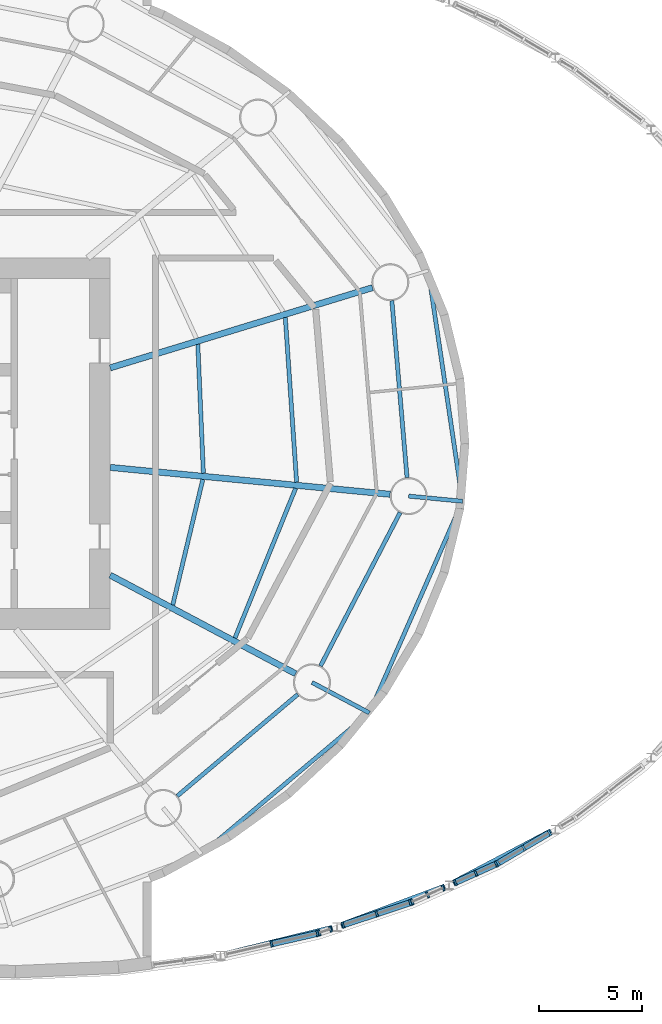
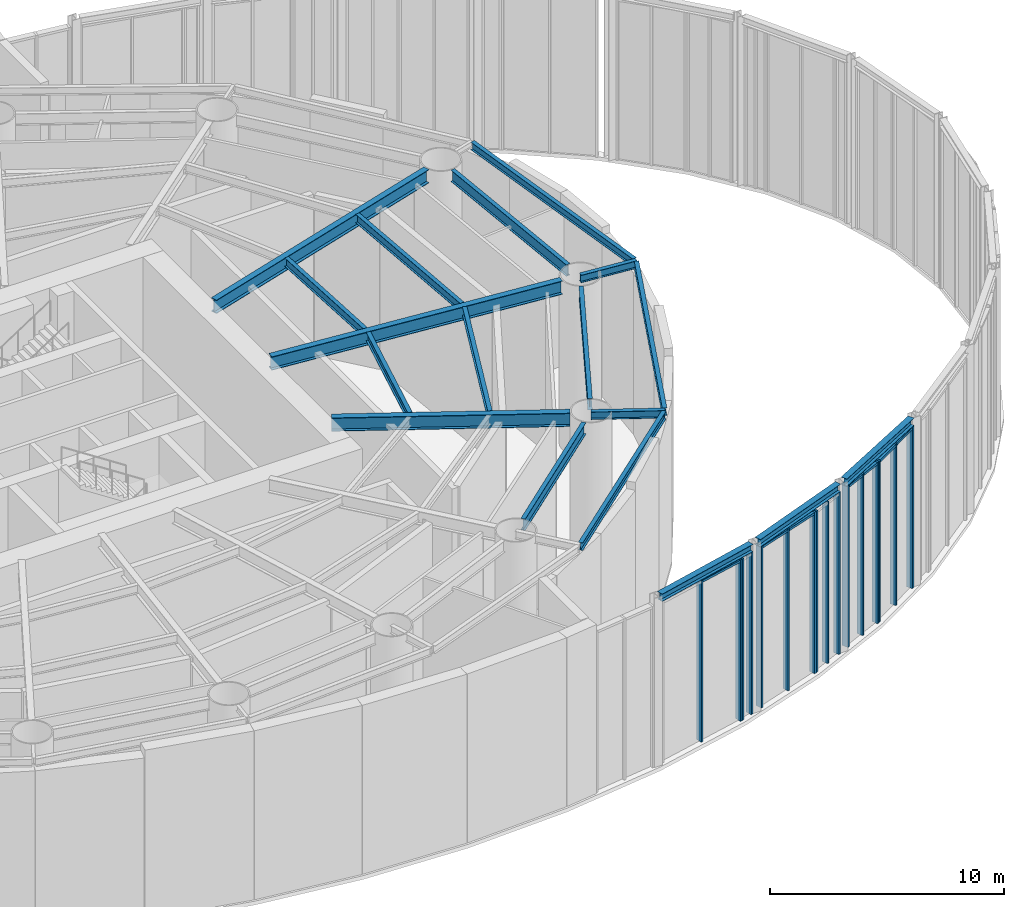
# One storey, part 5 of 19: 23 members, 18 beams, 6 elements without a shape of their own.
"""IFC4 building model written with IfcOpenShell, lengths in metres."""

from ifc_helpers import new_model, si_unit, direction, frame, origin, origin_2d, place, context, subcontext, project, spatial, rectangle, i_section, extrude, material, material_profile, profile_set, type_object, element, aggregate, save


model = new_model("IFC4")

# Units and contexts
model_context = context("Model", 3, precision=1e-05, world=origin(), true_north=direction((0.0, 1.0)))
body_context = subcontext(model_context, "Body", "Model", "MODEL_VIEW")
ifc_project = project(units=[si_unit("LENGTHUNIT", "METRE"), si_unit("AREAUNIT", "SQUARE_METRE"), si_unit("VOLUMEUNIT", "CUBIC_METRE"), si_unit("PLANEANGLEUNIT", "RADIAN"), si_unit("MASSUNIT", "GRAM", prefix="KILO")], contexts=[model_context])

# Site, building, storey
site_placement = place(None, origin())
site = spatial("IfcSite", under=ifc_project, at=site_placement, CompositionType="ELEMENT")
building_placement = place(site_placement, origin())
building = spatial("IfcBuilding", under=site, at=building_placement, Name="Vermilion Reach Broadcast Tower", CompositionType="ELEMENT")
storey_placement = place(building_placement, frame((0.0, 0.0, 17.0)))
storey = spatial("IfcBuildingStorey", under=building, at=storey_placement, Name="L02", CompositionType="ELEMENT", Elevation=17.0)

# Curtain wall, members
ifc_material_1 = material(Name="Low-e laminated clear glass in aluminium frame", Category="aluminium")
curtain_wall_type = type_object("IfcCurtainWallType", Name="Atrium outer wall curtain wall", PredefinedType="NOTDEFINED", material=ifc_material_1)
placement = place(storey_placement, origin())
curtain_wall_1 = element("IfcCurtainWall", 1, at=placement, inside=storey, type_object=curtain_wall_type, Name="Atrium wall L02 02", PredefinedType="NOTDEFINED")
ifc_material_2 = material(Name="Anodised aluminium", Category="aluminium")
ifc_material_profile_1 = material_profile(ifc_material_2, rectangle(XDim=0.300048828125, YDim=0.10009765625, at=origin_2d()), Name="Atrium outer wall mullion 100 x 300")
ifc_profile_set_1 = profile_set([ifc_material_profile_1], Name="Anodised aluminium")
member_type_1 = type_object("IfcMemberType", Name="Atrium outer wall mullion 100 x 300", PredefinedType="MULLION", material=ifc_profile_set_1)
member_1_placement = place(storey_placement, frame((13.818359375, -24.251708984375, 0.0), z_axis=(0.0, 0.0, 1.0), x_axis=(-0.222891523278, 0.974843253478, 0.0)))
member_1 = element("IfcMember", 2, at=member_1_placement, type_object=member_type_1, Name="Atrium wall mullion L02 02.2", PredefinedType="MULLION", context=body_context, shape_type="SweptSolid", body=[
    extrude(rectangle(XDim=0.300048828125, YDim=0.10009765625, at=origin_2d()), origin(), (0.0, 0.0, 1.0), 8.409912109375),
])
member_2_placement = place(storey_placement, frame((16.042236328125, -23.7431640625, 0.0), z_axis=(0.0, 0.0, 1.0), x_axis=(-0.222891523278, 0.974843253478, 0.0)))
member_2 = element("IfcMember", 3, at=member_2_placement, type_object=member_type_1, Name="Atrium wall mullion L02 02.3", PredefinedType="MULLION", context=body_context, shape_type="SweptSolid", body=[
    extrude(rectangle(XDim=0.300048828125, YDim=0.10009765625, at=origin_2d()), origin(), (0.0, 0.0, 1.0), 8.409912109375),
])

curtain_wall_2 = element("IfcCurtainWall", 4, at=placement, inside=storey, type_object=curtain_wall_type, Name="Atrium wall L02 03-1", PredefinedType="NOTDEFINED")
member_3_placement = place(storey_placement, frame((16.138427734375, -23.71630859375, 0.0), z_axis=(0.0, 0.0, 1.0), x_axis=(-0.315228098746, 0.949015935462, 0.0)))
member_3 = element("IfcMember", 5, at=member_3_placement, type_object=member_type_1, Name="Atrium wall mullion L02 03-1.1", PredefinedType="MULLION", context=body_context, shape_type="SweptSolid", body=[
    extrude(rectangle(XDim=0.300048828125, YDim=0.10009765625, at=origin_2d()), origin(), (0.0, 0.0, 1.0), 8.409912109375),
])
member_4_placement = place(storey_placement, frame((16.67724609375, -23.537353515625, 0.0), z_axis=(0.0, 0.0, 1.0), x_axis=(-0.315228098746, 0.949015935462, 0.0)))
member_4 = element("IfcMember", 6, at=member_4_placement, type_object=member_type_1, Name="Atrium wall mullion L02 03-1.2", PredefinedType="MULLION", context=body_context, shape_type="SweptSolid", body=[
    extrude(rectangle(XDim=0.300048828125, YDim=0.10009765625, at=origin_2d()), origin(), (0.0, 0.0, 1.0), 8.409912109375),
])
aggregate(curtain_wall_2, [member_3, member_4])

curtain_wall_3 = element("IfcCurtainWall", 7, at=placement, inside=storey, type_object=curtain_wall_type, Name="Atrium wall L02 03-2", PredefinedType="NOTDEFINED")
member_5_placement = place(storey_placement, frame((17.2919921875, -23.3330078125, 0.0), z_axis=(0.0, 0.0, 1.0), x_axis=(-0.315228098746, 0.949015935462, 0.0)))
member_5 = element("IfcMember", 8, at=member_5_placement, type_object=member_type_1, Name="Atrium wall mullion L02 03-2.1", PredefinedType="MULLION", context=body_context, shape_type="SweptSolid", body=[
    extrude(rectangle(XDim=0.300048828125, YDim=0.10009765625, at=origin_2d()), origin(), (0.0, 0.0, 1.0), 8.409912109375),
])
member_6_placement = place(storey_placement, frame((18.91796875, -22.79296875, 0.0), z_axis=(0.0, 0.0, 1.0), x_axis=(-0.315228098746, 0.949015935462, 0.0)))
member_6 = element("IfcMember", 9, at=member_6_placement, type_object=member_type_1, Name="Atrium wall mullion L02 03-2.2", PredefinedType="MULLION", context=body_context, shape_type="SweptSolid", body=[
    extrude(rectangle(XDim=0.300048828125, YDim=0.10009765625, at=origin_2d()), origin(), (0.0, 0.0, 1.0), 8.409912109375),
])
member_7_placement = place(storey_placement, frame((20.5439453125, -22.2529296875, 0.0), z_axis=(0.0, 0.0, 1.0), x_axis=(-0.315228098746, 0.949015935462, 0.0)))
member_7 = element("IfcMember", 10, at=member_7_placement, type_object=member_type_1, Name="Atrium wall mullion L02 03-2.3", PredefinedType="MULLION", context=body_context, shape_type="SweptSolid", body=[
    extrude(rectangle(XDim=0.300048828125, YDim=0.10009765625, at=origin_2d()), origin(), (0.0, 0.0, 1.0), 8.409912109375),
])

curtain_wall_4 = element("IfcCurtainWall", 11, at=placement, inside=storey, type_object=curtain_wall_type, Name="Atrium wall L02 04-1", PredefinedType="NOTDEFINED")
member_8_placement = place(storey_placement, frame((20.636962890625, -22.216552734375, 0.0), z_axis=(0.0, 0.0, 1.0), x_axis=(-0.410407876277, 0.911902064418, 0.0)))
member_8 = element("IfcMember", 12, at=member_8_placement, type_object=member_type_1, Name="Atrium wall mullion L02 04-1.1", PredefinedType="MULLION", context=body_context, shape_type="SweptSolid", body=[
    extrude(rectangle(XDim=0.300048828125, YDim=0.10009765625, at=origin_2d()), origin(), (0.0, 0.0, 1.0), 8.409912109375),
])
member_9_placement = place(storey_placement, frame((21.386474609375, -21.87939453125, 0.0), z_axis=(0.0, 0.0, 1.0), x_axis=(-0.410407876277, 0.911902064418, 0.0)))
member_9 = element("IfcMember", 13, at=member_9_placement, type_object=member_type_1, Name="Atrium wall mullion L02 04-1.2", PredefinedType="MULLION", context=body_context, shape_type="SweptSolid", body=[
    extrude(rectangle(XDim=0.300048828125, YDim=0.10009765625, at=origin_2d()), origin(), (0.0, 0.0, 1.0), 8.409912109375),
])
member_10_placement = place(storey_placement, frame((22.1357421875, -21.5419921875, 0.0), z_axis=(0.0, 0.0, 1.0), x_axis=(-0.410407876277, 0.911902064418, 0.0)))
member_10 = element("IfcMember", 14, at=member_10_placement, type_object=member_type_1, Name="Atrium wall mullion L02 04-1.3", PredefinedType="MULLION", context=body_context, shape_type="SweptSolid", body=[
    extrude(rectangle(XDim=0.300048828125, YDim=0.10009765625, at=origin_2d()), origin(), (0.0, 0.0, 1.0), 8.409912109375),
])
aggregate(curtain_wall_4, [member_8, member_9, member_10])

curtain_wall_5 = element("IfcCurtainWall", 15, at=placement, inside=storey, type_object=curtain_wall_type, Name="Atrium wall L02 04-2", PredefinedType="NOTDEFINED")
member_11_placement = place(storey_placement, frame((22.726806640625, -21.276123046875, 0.0), z_axis=(0.0, 0.0, 1.0), x_axis=(-0.410407876277, 0.911902064418, 0.0)))
member_11 = element("IfcMember", 16, at=member_11_placement, type_object=member_type_1, Name="Atrium wall mullion L02 04-2.1", PredefinedType="MULLION", context=body_context, shape_type="SweptSolid", body=[
    extrude(rectangle(XDim=0.300048828125, YDim=0.10009765625, at=origin_2d()), origin(), (0.0, 0.0, 1.0), 8.409912109375),
])
member_12_placement = place(storey_placement, frame((23.720947265625, -20.82861328125, 0.0), z_axis=(0.0, 0.0, 1.0), x_axis=(-0.410407876277, 0.911902064418, 0.0)))
member_12 = element("IfcMember", 17, at=member_12_placement, type_object=member_type_1, Name="Atrium wall mullion L02 04-2.2", PredefinedType="MULLION", context=body_context, shape_type="SweptSolid", body=[
    extrude(rectangle(XDim=0.300048828125, YDim=0.10009765625, at=origin_2d()), origin(), (0.0, 0.0, 1.0), 8.409912109375),
])
member_13_placement = place(storey_placement, frame((24.715087890625, -20.38134765625, 0.0), z_axis=(0.0, 0.0, 1.0), x_axis=(-0.410407876277, 0.911902064418, 0.0)))
member_13 = element("IfcMember", 18, at=member_13_placement, type_object=member_type_1, Name="Atrium wall mullion L02 04-2.3", PredefinedType="MULLION", context=body_context, shape_type="SweptSolid", body=[
    extrude(rectangle(XDim=0.300048828125, YDim=0.10009765625, at=origin_2d()), origin(), (0.0, 0.0, 1.0), 8.409912109375),
])

curtain_wall_6 = element("IfcCurtainWall", 19, at=placement, inside=storey, type_object=curtain_wall_type, Name="Atrium wall L02 05-1", PredefinedType="NOTDEFINED")
member_14_placement = place(storey_placement, frame((24.8037109375, -20.33544921875, 0.0), z_axis=(0.0, 0.0, 1.0), x_axis=(-0.508589622127, 0.861009057017, 0.0)))
member_14 = element("IfcMember", 20, at=member_14_placement, type_object=member_type_1, Name="Atrium wall mullion L02 05-1.1", PredefinedType="MULLION", context=body_context, shape_type="SweptSolid", body=[
    extrude(rectangle(XDim=0.300048828125, YDim=0.10009765625, at=origin_2d()), origin(), (0.0, 0.0, 1.0), 8.409912109375),
])
member_15_placement = place(storey_placement, frame((26.0478515625, -19.6005859375, 0.0), z_axis=(0.0, 0.0, 1.0), x_axis=(-0.508589622127, 0.861009057017, 0.0)))
member_15 = element("IfcMember", 21, at=member_15_placement, type_object=member_type_1, Name="Atrium wall mullion L02 05-1.2", PredefinedType="MULLION", context=body_context, shape_type="SweptSolid", body=[
    extrude(rectangle(XDim=0.300048828125, YDim=0.10009765625, at=origin_2d()), origin(), (0.0, 0.0, 1.0), 8.409912109375),
])
member_16_placement = place(storey_placement, frame((27.291748046875, -18.86572265625, 0.0), z_axis=(0.0, 0.0, 1.0), x_axis=(-0.508589622127, 0.861009057017, 0.0)))
member_16 = element("IfcMember", 22, at=member_16_placement, type_object=member_type_1, Name="Atrium wall mullion L02 05-1.3", PredefinedType="MULLION", context=body_context, shape_type="SweptSolid", body=[
    extrude(rectangle(XDim=0.300048828125, YDim=0.10009765625, at=origin_2d()), origin(), (0.0, 0.0, 1.0), 8.409912109375),
])

# Member
ifc_material_3 = material(Name="Anodised aluminium", Category="aluminium")
ifc_material_profile_2 = material_profile(ifc_material_3, rectangle(XDim=0.300048828125, YDim=0.1201171875, at=origin_2d()), Name="Atrium outer wall transom 300 x 120")
ifc_profile_set_2 = profile_set([ifc_material_profile_2], Name="Anodised aluminium")
member_type_2 = type_object("IfcMemberType", Name="Atrium outer wall transom 300 x 120", PredefinedType="USERDEFINED", material=ifc_profile_set_2)
member_17_placement = place(storey_placement, frame((13.8671875, -24.240478515625, 8.35009765625), z_axis=(0.97485503326, 0.222839996696, 0.0), x_axis=(-0.222839996696, 0.97485503326, 0.0)))
member_17 = element("IfcMember", 23, at=member_17_placement, type_object=member_type_2, Name="Atrium wall transom L02 02.2.2", ObjectType="TRANSOM", PredefinedType="USERDEFINED", context=body_context, shape_type="SweptSolid", body=[
    extrude(rectangle(XDim=0.300048828125, YDim=0.1201171875, at=origin_2d()), origin(), (0.0, 0.0, 1.0), 2.181396484375),
])

aggregate(curtain_wall_1, [member_1, member_2, member_17])

member_18_placement = place(storey_placement, frame((17.339599609375, -23.3173828125, 8.35009765625), z_axis=(0.949015707131, 0.315228786151, 0.0), x_axis=(-0.315228786151, 0.949015707131, 0.0)))
member_18 = element("IfcMember", 24, at=member_18_placement, type_object=member_type_2, Name="Atrium wall transom L02 03-2.1.2", ObjectType="TRANSOM", PredefinedType="USERDEFINED", context=body_context, shape_type="SweptSolid", body=[
    extrude(rectangle(XDim=0.300048828125, YDim=0.1201171875, at=origin_2d()), origin(), (0.0, 0.0, 1.0), 1.61328125),
])

member_19_placement = place(storey_placement, frame((18.965576171875, -22.777099609375, 8.35009765625), z_axis=(0.949015707131, 0.315228786151, 0.0), x_axis=(-0.315228786151, 0.949015707131, 0.0)))
member_19 = element("IfcMember", 25, at=member_19_placement, type_object=member_type_2, Name="Atrium wall transom L02 03-2.2.2", ObjectType="TRANSOM", PredefinedType="USERDEFINED", context=body_context, shape_type="SweptSolid", body=[
    extrude(rectangle(XDim=0.300048828125, YDim=0.1201171875, at=origin_2d()), origin(), (0.0, 0.0, 1.0), 1.61328125),
])

aggregate(curtain_wall_3, [member_5, member_6, member_7, member_18, member_19])

member_20_placement = place(storey_placement, frame((22.772216796875, -21.255615234375, 8.35009765625), z_axis=(0.911879986632, 0.410456928289, 0.0), x_axis=(-0.410456928289, 0.911879986632, 0.0)))
member_20 = element("IfcMember", 26, at=member_20_placement, type_object=member_type_2, Name="Atrium wall transom L02 04-2.1.2", ObjectType="TRANSOM", PredefinedType="USERDEFINED", context=body_context, shape_type="SweptSolid", body=[
    extrude(rectangle(XDim=0.300048828125, YDim=0.1201171875, at=origin_2d()), origin(), (0.0, 0.0, 1.0), 0.990234375),
])

member_21_placement = place(storey_placement, frame((23.766357421875, -20.80810546875, 8.35009765625), z_axis=(0.911972242519, 0.410251909044, 0.0), x_axis=(-0.410251909044, 0.911972242519, 0.0)))
member_21 = element("IfcMember", 27, at=member_21_placement, type_object=member_type_2, Name="Atrium wall transom L02 04-2.2.2", ObjectType="TRANSOM", PredefinedType="USERDEFINED", context=body_context, shape_type="SweptSolid", body=[
    extrude(rectangle(XDim=0.300048828125, YDim=0.1201171875, at=origin_2d()), origin(), (0.0, 0.0, 1.0), 0.990234375),
])

aggregate(curtain_wall_5, [member_11, member_12, member_13, member_20, member_21])

member_22_placement = place(storey_placement, frame((24.8466796875, -20.309814453125, 8.35009765625), z_axis=(0.861060223376, 0.508502990866, 0.0), x_axis=(-0.508502990866, 0.861060223376, 0.0)))
member_22 = element("IfcMember", 28, at=member_22_placement, type_object=member_type_2, Name="Atrium wall transom L02 05-1.1.2", ObjectType="TRANSOM", PredefinedType="USERDEFINED", context=body_context, shape_type="SweptSolid", body=[
    extrude(rectangle(XDim=0.300048828125, YDim=0.1201171875, at=origin_2d()), origin(), (0.0, 0.0, 1.0), 1.3447265625),
])

member_23_placement = place(storey_placement, frame((26.0908203125, -19.574951171875, 8.35009765625), z_axis=(0.861060223376, 0.508502990866, 0.0), x_axis=(-0.508502990866, 0.861060223376, 0.0)))
member_23 = element("IfcMember", 29, at=member_23_placement, type_object=member_type_2, Name="Atrium wall transom L02 05-1.2.2", ObjectType="TRANSOM", PredefinedType="USERDEFINED", context=body_context, shape_type="SweptSolid", body=[
    extrude(rectangle(XDim=0.300048828125, YDim=0.1201171875, at=origin_2d()), origin(), (0.0, 0.0, 1.0), 1.3447265625),
])

aggregate(curtain_wall_6, [member_14, member_15, member_16, member_22, member_23])

# Beams
ifc_material_4 = material(Name="Steel S355J2", Category="steel")
ifc_material_profile_3 = material_profile(ifc_material_4, i_section(OverallWidth=0.199951171875, OverallDepth=0.39990234375, WebThickness=0.008056640625, FlangeThickness=0.012939453125, at=origin_2d()), Name="S355J2 HN 400x200x8x13")
ifc_profile_set_3 = profile_set([ifc_material_profile_3], Name="Steel S355J2")
beam_type_1 = type_object("IfcBeamType", Name="EB1 HN 400x200x8x13", PredefinedType="BEAM", material=ifc_profile_set_3)
beam_1_placement = place(storey_placement, frame((10.490478515625, -19.840087890625, 8.60009765625), z_axis=(0.765453208317, 0.643491558513, 0.0), x_axis=(-0.643491558513, 0.765453208317, 0.0)))
element("IfcBeam", 30, at=beam_1_placement, inside=storey, type_object=beam_type_1, Name="Edge beam EB1-14", PredefinedType="BEAM", context=body_context, shape_type="SweptSolid", body=[
    extrude(i_section(OverallWidth=0.199951171875, OverallDepth=0.39990234375, WebThickness=0.008056640625, FlangeThickness=0.012939453125, at=origin_2d()), origin(), (0.0, 0.0, 1.0), 10.437255859375),
])
beam_2_placement = place(storey_placement, frame((18.6025390625, -12.962646484375, 8.60009765625), z_axis=(0.402751254677, 0.915309470538, 0.0), x_axis=(-0.915309470538, 0.402751254677, 0.0)))
element("IfcBeam", 31, at=beam_2_placement, inside=storey, type_object=beam_type_1, Name="Edge beam EB1-15", PredefinedType="BEAM", context=body_context, shape_type="SweptSolid", body=[
    extrude(i_section(OverallWidth=0.199951171875, OverallDepth=0.39990234375, WebThickness=0.008056640625, FlangeThickness=0.012939453125, at=origin_2d()), origin(), (0.0, 0.0, 1.0), 11.00341796875),
])
beam_3_placement = place(storey_placement, frame((23.061279296875, -2.692626953125, 8.60009765625), z_axis=(-0.147029010253, 0.98913218032, 0.0), x_axis=(-0.98913218032, -0.147029010253, 0.0)))
element("IfcBeam", 32, at=beam_3_placement, inside=storey, type_object=beam_type_1, Name="Edge beam EB1-16", PredefinedType="BEAM", context=body_context, shape_type="SweptSolid", body=[
    extrude(i_section(OverallWidth=0.199951171875, OverallDepth=0.39990234375, WebThickness=0.008056640625, FlangeThickness=0.012939453125, at=origin_2d()), origin(), (0.0, 0.0, 1.0), 11.125244140625),
])
ifc_material_5 = material(Name="Steel S355J2", Category="steel")
ifc_material_profile_4 = material_profile(ifc_material_5, i_section(OverallWidth=0.300048828125, OverallDepth=0.699951171875, WebThickness=0.012939453125, FlangeThickness=0.02392578125, at=origin_2d()), Name="S355J2 HN 700x300x13x24")
ifc_profile_set_4 = profile_set([ifc_material_profile_4], Name="Steel S355J2")
beam_type_2 = type_object("IfcBeamType", Name="G1 HN 700x300x13x24", PredefinedType="BEAM", material=ifc_profile_set_4)
beam_4_placement = place(storey_placement, frame((6.0, 3.671142578125, 8.449951171875), z_axis=(0.956255735186, 0.292531996409, 0.0), x_axis=(-0.292531996409, 0.956255735186, 0.0)))
element("IfcBeam", 33, at=beam_4_placement, inside=storey, type_object=beam_type_2, Name="Girder G1-01", PredefinedType="BEAM", context=body_context, shape_type="SweptSolid", body=[
    extrude(i_section(OverallWidth=0.300048828125, OverallDepth=0.699951171875, WebThickness=0.012939453125, FlangeThickness=0.02392578125, at=origin_2d()), origin(), (0.0, 0.0, 1.0), 13.29638671875),
])
beam_5_placement = place(storey_placement, frame((6.0, -6.3779296875, 8.449951171875), z_axis=(0.883032139419, -0.469312519279, 0.0), x_axis=(0.469312519279, 0.883032139419, 0.0)))
element("IfcBeam", 34, at=beam_5_placement, inside=storey, type_object=beam_type_2, Name="Girder G1-15", PredefinedType="BEAM", context=body_context, shape_type="SweptSolid", body=[
    extrude(i_section(OverallWidth=0.300048828125, OverallDepth=0.699951171875, WebThickness=0.012939453125, FlangeThickness=0.02392578125, at=origin_2d()), origin(), (0.0, 0.0, 1.0), 10.17529296875),
])
beam_6_placement = place(storey_placement, frame((6.0, -1.1533203125, 8.449951171875), z_axis=(0.995412178872, -0.095679643363, 0.0), x_axis=(0.095679643363, 0.995412178872, 0.0)))
element("IfcBeam", 35, at=beam_6_placement, inside=storey, type_object=beam_type_2, Name="Girder G1-16", PredefinedType="BEAM", context=body_context, shape_type="SweptSolid", body=[
    extrude(i_section(OverallWidth=0.300048828125, OverallDepth=0.699951171875, WebThickness=0.012939453125, FlangeThickness=0.02392578125, at=origin_2d()), origin(), (0.0, 0.0, 1.0), 13.630859375),
])
ifc_material_6 = material(Name="Steel S355J2", Category="steel")
ifc_material_profile_5 = material_profile(ifc_material_6, i_section(OverallWidth=0.199951171875, OverallDepth=0.39990234375, WebThickness=0.008056640625, FlangeThickness=0.012939453125, at=origin_2d()), Name="S355J2 HN 400x200x8x13")
ifc_profile_set_5 = profile_set([ifc_material_profile_5], Name="Steel S355J2")
beam_type_3 = type_object("IfcBeamType", Name="GC1 HN 400x200x8x13", PredefinedType="BEAM", material=ifc_profile_set_5)
beam_7_placement = place(storey_placement, frame((15.77978515625, -11.57568359375, 8.60009765625), z_axis=(0.8830404704, -0.469296843837, 0.0), x_axis=(0.469296843837, 0.8830404704, 0.0)))
element("IfcBeam", 36, at=beam_7_placement, inside=storey, type_object=beam_type_3, Name="Cantilever girder GC1-15", PredefinedType="BEAM", context=body_context, shape_type="SweptSolid", body=[
    extrude(i_section(OverallWidth=0.199951171875, OverallDepth=0.39990234375, WebThickness=0.008056640625, FlangeThickness=0.012939453125, at=origin_2d()), origin(), (0.0, 0.0, 1.0), 3.151123046875),
])
beam_8_placement = place(storey_placement, frame((20.464111328125, -2.54345703125, 8.60009765625), z_axis=(0.995407665441, -0.095726587639, 0.0), x_axis=(0.095726587639, 0.995407665441, 0.0)))
element("IfcBeam", 37, at=beam_8_placement, inside=storey, type_object=beam_type_3, Name="Cantilever girder GC1-16", PredefinedType="BEAM", context=body_context, shape_type="SweptSolid", body=[
    extrude(i_section(OverallWidth=0.199951171875, OverallDepth=0.39990234375, WebThickness=0.008056640625, FlangeThickness=0.012939453125, at=origin_2d()), origin(), (0.0, 0.0, 1.0), 2.624267578125),
])
ifc_material_7 = material(Name="Steel S355J2", Category="steel")
ifc_material_profile_6 = material_profile(ifc_material_7, i_section(OverallWidth=0.199951171875, OverallDepth=0.60009765625, WebThickness=0.010986328125, FlangeThickness=0.01708984375, at=origin_2d()), Name="S355J2 HN 600x200x11x17")
ifc_profile_set_6 = profile_set([ifc_material_profile_6], Name="Steel S355J2")
beam_type_4 = type_object("IfcBeamType", Name="RB1 HN 600x200x11x17", PredefinedType="BEAM", material=ifc_profile_set_6)
beam_9_placement = place(storey_placement, frame((9.251220703125, -17.080322265625, 8.5), z_axis=(0.764512441084, 0.6446089725, 0.0), x_axis=(-0.6446089725, 0.764512441084, 0.0)))
element("IfcBeam", 38, at=beam_9_placement, inside=storey, type_object=beam_type_4, Name="Ring beam RB1-14", PredefinedType="BEAM", context=body_context, shape_type="SweptSolid", body=[
    extrude(i_section(OverallWidth=0.199951171875, OverallDepth=0.60009765625, WebThickness=0.010986328125, FlangeThickness=0.01708984375, at=origin_2d()), origin(), (0.0, 0.0, 1.0), 7.6396484375),
])
beam_10_placement = place(storey_placement, frame((16.194091796875, -10.776611328125, 8.5), z_axis=(0.460411617218, 0.887705549566, 0.0), x_axis=(-0.887705549566, 0.460411617218, 0.0)))
element("IfcBeam", 39, at=beam_10_placement, inside=storey, type_object=beam_type_4, Name="Ring beam RB1-15", PredefinedType="BEAM", context=body_context, shape_type="SweptSolid", body=[
    extrude(i_section(OverallWidth=0.199951171875, OverallDepth=0.60009765625, WebThickness=0.010986328125, FlangeThickness=0.01708984375, at=origin_2d()), origin(), (0.0, 0.0, 1.0), 8.37451171875),
])
beam_11_placement = place(storey_placement, frame((20.38720703125, -1.646728515625, 8.5), z_axis=(-0.085395508608, 0.996347131832, 0.0), x_axis=(-0.996347131832, -0.085395508608, 0.0)))
element("IfcBeam", 40, at=beam_11_placement, inside=storey, type_object=beam_type_4, Name="Ring beam RB1-16", PredefinedType="BEAM", context=body_context, shape_type="SweptSolid", body=[
    extrude(i_section(OverallWidth=0.199951171875, OverallDepth=0.60009765625, WebThickness=0.010986328125, FlangeThickness=0.01708984375, at=origin_2d()), origin(), (0.0, 0.0, 1.0), 8.60546875),
])
ifc_material_8 = material(Name="Steel S355J2", Category="steel")
ifc_material_profile_7 = material_profile(ifc_material_8, i_section(OverallWidth=0.300048828125, OverallDepth=0.389892578125, WebThickness=0.010009765625, FlangeThickness=0.01611328125, at=origin_2d()), Name="S355J2 HM 390x300x10x16")
ifc_profile_set_7 = profile_set([ifc_material_profile_7], Name="Steel S355J2")
beam_type_5 = type_object("IfcBeamType", Name="RM1 HM 390x300x10x16", PredefinedType="BEAM", material=ifc_profile_set_7)
beam_12_placement = place(storey_placement, frame((11.55078125, -24.7666015625, 8.60498046875), z_axis=(0.97127010403, 0.237979799598, 0.0), x_axis=(-0.237979799598, 0.97127010403, 0.0)))
element("IfcBeam", 41, at=beam_12_placement, inside=storey, type_object=beam_type_5, Name="Rim beam AP01-AP02", PredefinedType="BEAM", context=body_context, shape_type="SweptSolid", body=[
    extrude(i_section(OverallWidth=0.300048828125, OverallDepth=0.389892578125, WebThickness=0.010009765625, FlangeThickness=0.01611328125, at=origin_2d()), origin(), (0.0, 0.0, 1.0), 5.37451171875),
])
beam_13_placement = place(storey_placement, frame((17.190673828125, -23.3583984375, 8.60498046875), z_axis=(0.937250522131, 0.348656648818, 0.0), x_axis=(-0.348656648818, 0.937250522131, 0.0)))
element("IfcBeam", 42, at=beam_13_placement, inside=storey, type_object=beam_type_5, Name="Rim beam AP02-AP03", PredefinedType="BEAM", context=body_context, shape_type="SweptSolid", body=[
    extrude(i_section(OverallWidth=0.300048828125, OverallDepth=0.389892578125, WebThickness=0.010009765625, FlangeThickness=0.01611328125, at=origin_2d()), origin(), (0.0, 0.0, 1.0), 5.37158203125),
])
beam_14_placement = place(storey_placement, frame((22.625732421875, -21.306396484375, 8.60498046875), z_axis=(0.884684356477, 0.46619050763, 0.0), x_axis=(-0.46619050763, 0.884684356477, 0.0)))
element("IfcBeam", 43, at=beam_14_placement, inside=storey, type_object=beam_type_5, Name="Rim beam AP03-AP04", PredefinedType="BEAM", context=body_context, shape_type="SweptSolid", body=[
    extrude(i_section(OverallWidth=0.300048828125, OverallDepth=0.389892578125, WebThickness=0.010009765625, FlangeThickness=0.01611328125, at=origin_2d()), origin(), (0.0, 0.0, 1.0), 5.369384765625),
])
ifc_material_9 = material(Name="Steel S355J2", Category="steel")
ifc_material_profile_8 = material_profile(ifc_material_9, i_section(OverallWidth=0.199951171875, OverallDepth=0.449951171875, WebThickness=0.009033203125, FlangeThickness=0.013916015625, at=origin_2d()), Name="S355J2 HN 450x200x9x14")
ifc_profile_set_8 = profile_set([ifc_material_profile_8], Name="Steel S355J2")
beam_type_6 = type_object("IfcBeamType", Name="SB1 HN 450x200x9x14", PredefinedType="BEAM", material=ifc_profile_set_8)
beam_15_placement = place(storey_placement, frame((9.031005859375, -7.81884765625, 8.574951171875), z_axis=(0.232844467589, 0.972513986487, 0.0), x_axis=(-0.972513986487, 0.232844467589, 0.0)))
element("IfcBeam", 44, at=beam_15_placement, inside=storey, type_object=beam_type_6, Name="Secondary beam SB1-15-1", PredefinedType="BEAM", context=body_context, shape_type="SweptSolid", body=[
    extrude(i_section(OverallWidth=0.199951171875, OverallDepth=0.449951171875, WebThickness=0.009033203125, FlangeThickness=0.013916015625, at=origin_2d()), origin(), (0.0, 0.0, 1.0), 6.25537109375),
])
beam_16_placement = place(storey_placement, frame((12.046630859375, -9.421630859375, 8.574951171875), z_axis=(0.375640669938, 0.926765389453, 0.0), x_axis=(-0.926765389453, 0.375640669938, 0.0)))
element("IfcBeam", 45, at=beam_16_placement, inside=storey, type_object=beam_type_6, Name="Secondary beam SB1-15-2", PredefinedType="BEAM", context=body_context, shape_type="SweptSolid", body=[
    extrude(i_section(OverallWidth=0.199951171875, OverallDepth=0.449951171875, WebThickness=0.009033203125, FlangeThickness=0.013916015625, at=origin_2d()), origin(), (0.0, 0.0, 1.0), 7.8271484375),
])
beam_17_placement = place(storey_placement, frame((10.51611328125, -1.436767578125, 8.574951171875), z_axis=(-0.043361007512, 0.999059469215, 0.0), x_axis=(-0.999059469215, -0.043361007512, 0.0)))
element("IfcBeam", 46, at=beam_17_placement, inside=storey, type_object=beam_type_6, Name="Secondary beam SB1-16-1", PredefinedType="BEAM", context=body_context, shape_type="SweptSolid", body=[
    extrude(i_section(OverallWidth=0.199951171875, OverallDepth=0.449951171875, WebThickness=0.009033203125, FlangeThickness=0.013916015625, at=origin_2d()), origin(), (0.0, 0.0, 1.0), 6.25537109375),
])
beam_18_placement = place(storey_placement, frame((15.03515625, -1.87109375, 8.574951171875), z_axis=(-0.068507801475, 0.997650580683, 0.0), x_axis=(-0.997650580683, -0.068507801475, 0.0)))
element("IfcBeam", 47, at=beam_18_placement, inside=storey, type_object=beam_type_6, Name="Secondary beam SB1-16-2", PredefinedType="BEAM", context=body_context, shape_type="SweptSolid", body=[
    extrude(i_section(OverallWidth=0.199951171875, OverallDepth=0.449951171875, WebThickness=0.009033203125, FlangeThickness=0.013916015625, at=origin_2d()), origin(), (0.0, 0.0, 1.0), 8.00048828125),
])

save(model, "model.ifc")
